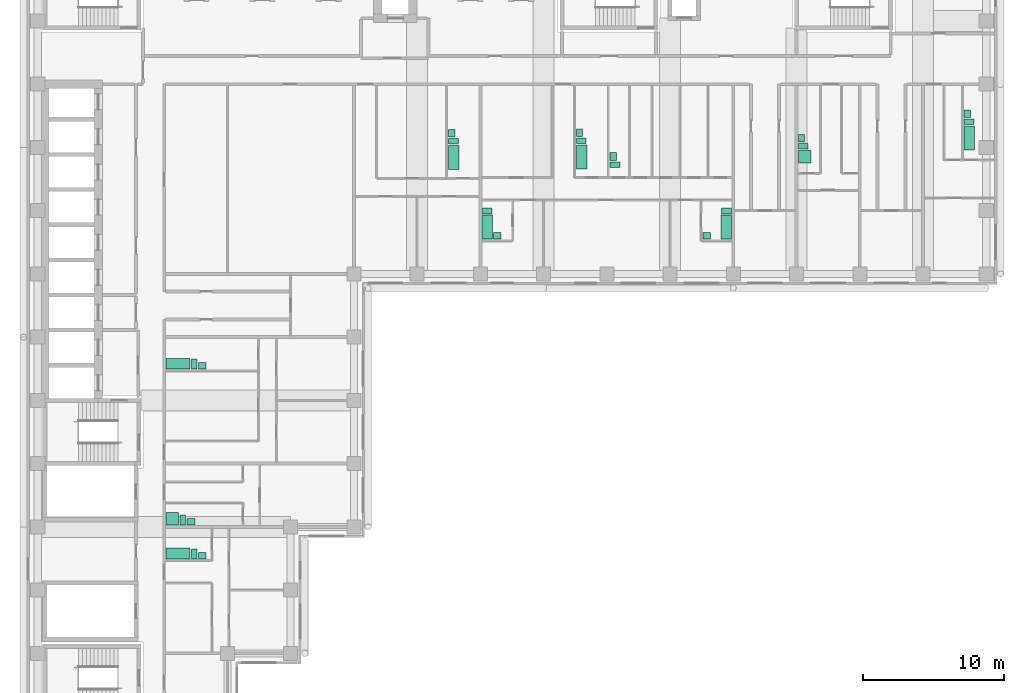
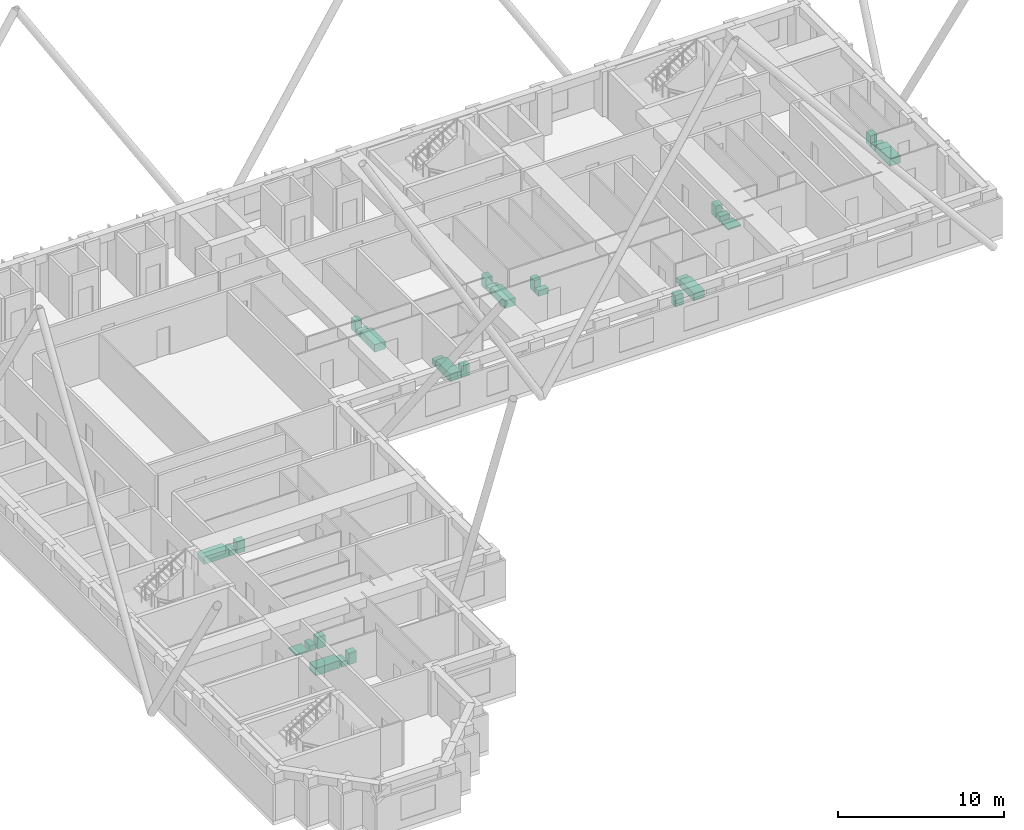
# One storey, part 13 of 13: 29 sanitary terminals.
"""IFC4 building model written with IfcOpenShell, lengths in metres."""

from ifc_helpers import new_model, si_unit, direction, frame, origin, origin_2d, place, context, subcontext, project, spatial, rectangle, extrude, material, type_object, element, save


model = new_model("IFC4")

# Units and contexts
model_context = context("Model", 3, precision=1e-05, world=origin(), true_north=direction((0.0, 1.0)))
body_context = subcontext(model_context, "Body", "Model", "MODEL_VIEW")
ifc_project = project(units=[si_unit("LENGTHUNIT", "METRE"), si_unit("AREAUNIT", "SQUARE_METRE"), si_unit("VOLUMEUNIT", "CUBIC_METRE"), si_unit("PLANEANGLEUNIT", "RADIAN"), si_unit("MASSUNIT", "GRAM", prefix="KILO")], contexts=[model_context])

# Site, building, storey
site_placement = place(None, origin())
site = spatial("IfcSite", under=ifc_project, at=site_placement, CompositionType="ELEMENT")
building_placement = place(site_placement, origin())
building = spatial("IfcBuilding", under=site, at=building_placement, Name="Firuza Court", CompositionType="ELEMENT")
storey_placement = place(building_placement, frame((0.0, 0.0, 119.60009765625)))
storey = spatial("IfcBuildingStorey", under=building, at=storey_placement, Name="L29", CompositionType="ELEMENT", Elevation=119.60009765625)

# Sanitary terminals
ifc_material_1 = material(Name="Vitreous china", Category="ceramic")
sanitary_terminal_type_1 = type_object("IfcSanitaryTerminalType", Name="Fixture Bath", PredefinedType="BATH", material=ifc_material_1)
for number, where, z_axis, x_axis, name in (
    (1, (29.60498046875, 44.280029296875, 0.0), (0.0, 0.0, 1.0), (1.0, 0.0, 0.0), "Bath"),
    (2, (38.705078125, 44.330078125, 0.0), (0.0, 0.0, 1.0), (1.0, 0.0, 0.0), "Bath"),
    (3, (32.0048828125, 39.330078125, 0.0), (0.0, 0.0, 1.0), (1.0, 0.0, 0.0), "Bath"),
    (4, (48.9951171875, 39.330078125, 0.0), (0.0, 0.0, 1.0), (1.0, 0.0, 0.0), "Bath"),
    (5, (66.304931640625, 45.679931640625, 0.0), (0.0, 0.0, 1.0), (1.0, 0.0, 0.0), "Bath"),
):
    element("IfcSanitaryTerminal", number, at=place(storey_placement, frame(where, z_axis=z_axis, x_axis=x_axis)), inside=storey, type_object=sanitary_terminal_type_1, Name=name, PredefinedType="BATH", context=body_context, shape_type="SweptSolid", body=[
        extrude(rectangle(XDim=0.75, YDim=1.699951171875, at=origin_2d()), origin(), (0.0, 0.0, 1.0), 0.550048828125),
    ])
for number, where, z_axis, x_axis, name in (
    (6, (9.97998046875, 29.60498046875, 0.0), (0.0, 0.0, 1.0), (1.0, 0.0, 0.0), "Bath"),
    (7, (9.97998046875, 16.10498046875, 0.0), (0.0, 0.0, 1.0), (1.0, 0.0, 0.0), "Bath"),
):
    element("IfcSanitaryTerminal", number, at=place(storey_placement, frame(where, z_axis=z_axis, x_axis=x_axis)), inside=storey, type_object=sanitary_terminal_type_1, Name=name, PredefinedType="BATH", context=body_context, shape_type="SweptSolid", body=[
        extrude(rectangle(XDim=1.699951171875, YDim=0.75, at=origin_2d()), origin(), (0.0, 0.0, 1.0), 0.550048828125),
    ])
ifc_material_2 = material(Name="Vitreous china", Category="ceramic")
sanitary_terminal_type_2 = type_object("IfcSanitaryTerminalType", Name="Fixture Shower tray", PredefinedType="SHOWER", material=ifc_material_2)
for number, where, z_axis, x_axis, name in (
    (8, (54.580078125, 44.330078125, -0.000244140625), (0.0, 0.0, 1.0), (1.0, 0.0, 0.0), "Shower tray"),
    (9, (9.580078125, 18.580078125, -0.000244140625), (0.0, 0.0, 1.0), (1.0, 0.0, 0.0), "Shower tray"),
):
    element("IfcSanitaryTerminal", number, at=place(storey_placement, frame(where, z_axis=z_axis, x_axis=x_axis)), inside=storey, type_object=sanitary_terminal_type_2, Name=name, PredefinedType="SHOWER", context=body_context, shape_type="SweptSolid", body=[
        extrude(rectangle(XDim=0.89990234375, YDim=0.89990234375, at=origin_2d()), origin(), (0.0, 0.0, 1.0), 0.10009765625),
    ])
ifc_material_3 = material(Name="Vitreous china", Category="ceramic")
sanitary_terminal_type_3 = type_object("IfcSanitaryTerminalType", Name="Fixture WC pan", PredefinedType="TOILETPAN", material=ifc_material_3)
for number, where, z_axis, x_axis, name in (
    (10, (29.580078125, 45.429931640625, 0.0), (0.0, 0.0, 1.0), (1.0, 0.0, 0.0), "WC pan"),
    (11, (38.679931640625, 45.47998046875, 0.0), (0.0, 0.0, 1.0), (1.0, 0.0, 0.0), "WC pan"),
    (12, (41.080078125, 43.780029296875, 0.0), (0.0, 0.0, 1.0), (1.0, 0.0, 0.0), "WC pan"),
    (13, (31.97998046875, 40.47998046875, 0.0), (0.0, 0.0, 1.0), (1.0, 0.0, 0.0), "WC pan"),
    (14, (49.02001953125, 40.47998046875, 0.0), (0.0, 0.0, 1.0), (1.0, 0.0, 0.0), "WC pan"),
    (15, (54.47998046875, 45.080078125, 0.0), (0.0, 0.0, 1.0), (1.0, 0.0, 0.0), "WC pan"),
    (16, (66.280029296875, 46.830078125, 0.0), (0.0, 0.0, 1.0), (1.0, 0.0, 0.0), "WC pan"),
):
    element("IfcSanitaryTerminal", number, at=place(storey_placement, frame(where, z_axis=z_axis, x_axis=x_axis)), inside=storey, type_object=sanitary_terminal_type_3, Name=name, PredefinedType="TOILETPAN", context=body_context, shape_type="SweptSolid", body=[
        extrude(rectangle(XDim=0.699951171875, YDim=0.39990234375, at=origin_2d()), origin(), (0.0, 0.0, 1.0), 0.39990234375),
    ])
for number, where, z_axis, x_axis, name in (
    (17, (11.1298828125, 29.580078125, 0.0), (0.0, 0.0, 1.0), (1.0, 0.0, 0.0), "WC pan"),
    (18, (10.330078125, 18.47998046875, 0.0), (0.0, 0.0, 1.0), (1.0, 0.0, 0.0), "WC pan"),
    (19, (11.1298828125, 16.080078125, 0.0), (0.0, 0.0, 1.0), (1.0, 0.0, 0.0), "WC pan"),
):
    element("IfcSanitaryTerminal", number, at=place(storey_placement, frame(where, z_axis=z_axis, x_axis=x_axis)), inside=storey, type_object=sanitary_terminal_type_3, Name=name, PredefinedType="TOILETPAN", context=body_context, shape_type="SweptSolid", body=[
        extrude(rectangle(XDim=0.39990234375, YDim=0.699951171875, at=origin_2d()), origin(), (0.0, 0.0, 1.0), 0.39990234375),
    ])
ifc_material_4 = material(Name="Vitreous china", Category="ceramic")
sanitary_terminal_type_4 = type_object("IfcSanitaryTerminalType", Name="Fixture Washbasin", PredefinedType="WASHHANDBASIN", material=ifc_material_4)
for number, where, z_axis, x_axis, name in (
    (20, (29.455078125, 46.0048828125, -0.000244140625), (0.0, 0.0, 1.0), (1.0, 0.0, 0.0), "Washbasin"),
    (21, (38.554931640625, 46.054931640625, -0.000244140625), (0.0, 0.0, 1.0), (1.0, 0.0, 0.0), "Washbasin"),
    (22, (40.955078125, 44.35498046875, -0.000244140625), (0.0, 0.0, 1.0), (1.0, 0.0, 0.0), "Washbasin"),
):
    element("IfcSanitaryTerminal", number, at=place(storey_placement, frame(where, z_axis=z_axis, x_axis=x_axis)), inside=storey, type_object=sanitary_terminal_type_4, Name=name, PredefinedType="WASHHANDBASIN", context=body_context, shape_type="SweptSolid", body=[
        extrude(rectangle(XDim=0.449951171875, YDim=0.550048828125, at=origin_2d()), origin(), (0.0, 0.0, 1.0), 0.85009765625),
    ])
for number, where, z_axis, x_axis, name in (
    (23, (32.705078125, 38.705078125, -0.000244140625), (0.0, 0.0, 1.0), (1.0, 0.0, 0.0), "Washbasin"),
    (24, (47.60498046875, 38.705078125, -0.000244140625), (0.0, 0.0, 1.0), (1.0, 0.0, 0.0), "Washbasin"),
):
    element("IfcSanitaryTerminal", number, at=place(storey_placement, frame(where, z_axis=z_axis, x_axis=x_axis)), inside=storey, type_object=sanitary_terminal_type_4, Name=name, PredefinedType="WASHHANDBASIN", context=body_context, shape_type="SweptSolid", body=[
        extrude(rectangle(XDim=0.550048828125, YDim=0.449951171875, at=origin_2d()), origin(), (0.0, 0.0, 1.0), 0.85009765625),
    ])
for number, where, z_axis, x_axis, name in (
    (25, (54.35498046875, 45.655029296875, -0.000244140625), (0.0, 0.0, 1.0), (1.0, 0.0, 0.0), "Washbasin"),
    (26, (66.155029296875, 47.405029296875, -0.000244140625), (0.0, 0.0, 1.0), (1.0, 0.0, 0.0), "Washbasin"),
):
    element("IfcSanitaryTerminal", number, at=place(storey_placement, frame(where, z_axis=z_axis, x_axis=x_axis)), inside=storey, type_object=sanitary_terminal_type_4, Name=name, PredefinedType="WASHHANDBASIN", context=body_context, shape_type="SweptSolid", body=[
        extrude(rectangle(XDim=0.449951171875, YDim=0.550048828125, at=origin_2d()), origin(), (0.0, 0.0, 1.0), 0.85009765625),
    ])
for number, where, z_axis, x_axis, name in (
    (27, (11.705078125, 29.455078125, -0.000244140625), (0.0, 0.0, 1.0), (1.0, 0.0, 0.0), "Washbasin"),
    (28, (10.905029296875, 18.35498046875, -0.000244140625), (0.0, 0.0, 1.0), (1.0, 0.0, 0.0), "Washbasin"),
    (29, (11.705078125, 15.955078125, -0.000244140625), (0.0, 0.0, 1.0), (1.0, 0.0, 0.0), "Washbasin"),
):
    element("IfcSanitaryTerminal", number, at=place(storey_placement, frame(where, z_axis=z_axis, x_axis=x_axis)), inside=storey, type_object=sanitary_terminal_type_4, Name=name, PredefinedType="WASHHANDBASIN", context=body_context, shape_type="SweptSolid", body=[
        extrude(rectangle(XDim=0.550048828125, YDim=0.449951171875, at=origin_2d()), origin(), (0.0, 0.0, 1.0), 0.85009765625),
    ])

save(model, "model.ifc")
